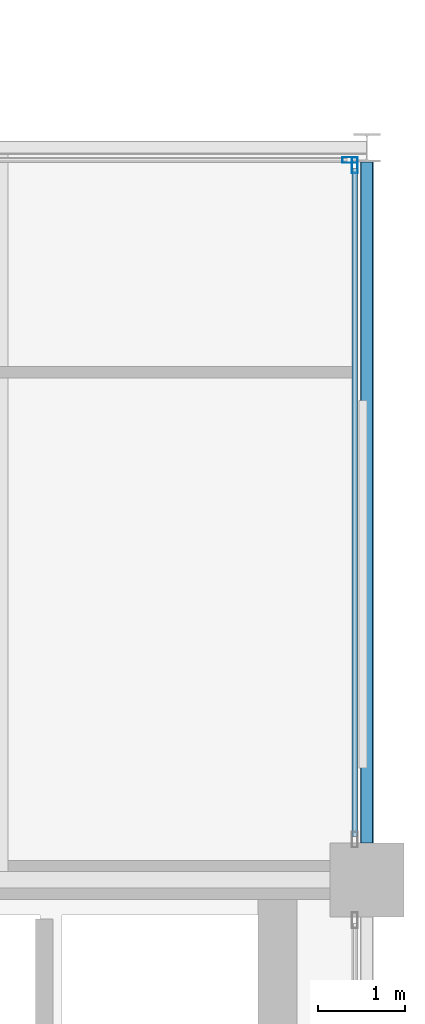
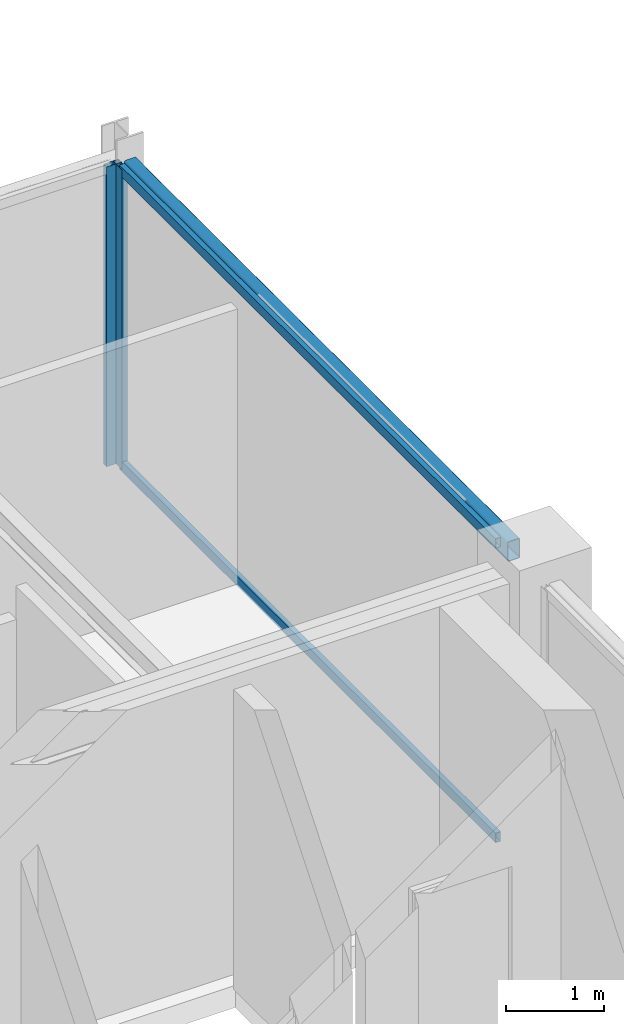
# One storey, part 15 of 24: 4 members, 1 beam, 2 elements without a shape of their own.
"""IFC4 building model written with IfcOpenShell, lengths in metres."""

from ifc_helpers import new_model, si_unit, direction, frame, origin, origin_2d, place, context, subcontext, project, spatial, hollow_rectangle, extrude, material, layer, layer_set, material_profile, profile_set, type_object, element, aggregate, save


model = new_model("IFC4")

# Units and contexts
model_context = context("Model", 3, precision=1e-05, world=origin(), true_north=direction((0.0, 1.0)))
body_context = subcontext(model_context, "Body", "Model", "MODEL_VIEW")
ifc_project = project(units=[si_unit("LENGTHUNIT", "METRE"), si_unit("AREAUNIT", "SQUARE_METRE"), si_unit("VOLUMEUNIT", "CUBIC_METRE"), si_unit("PLANEANGLEUNIT", "RADIAN"), si_unit("MASSUNIT", "GRAM", prefix="KILO")], contexts=[model_context])

# Site, building, storey
site_placement = place(None, origin())
site = spatial("IfcSite", under=ifc_project, at=site_placement, CompositionType="ELEMENT")
building_placement = place(site_placement, origin())
building = spatial("IfcBuilding", under=site, at=building_placement, Name="Nerrivon Quay Data Exchange", CompositionType="ELEMENT")
storey_placement = place(building_placement, frame((0.0, 0.0, 294.199951171875)))
storey = spatial("IfcBuildingStorey", under=building, at=storey_placement, Name="L70", CompositionType="ELEMENT", Elevation=294.199951171875)

# Beam
ifc_material_1 = material(Name="Steel Grade C350L0 (350 MPa)", Category="steel")
ifc_material_profile_1 = material_profile(ifc_material_1, hollow_rectangle(XDim=0.14990234375, YDim=0.25, WallThickness=0.009033203125, InnerFilletRadius=0.013427734375, OuterFilletRadius=0.0224609375, at=origin_2d()), Name="250x150x9.0RHS")
ifc_profile_set_1 = profile_set([ifc_material_profile_1], Name="Steel Grade C350L0 (350 MPa)")
beam_type = type_object("IfcBeamType", Name="BM-SP4-250x150RHS", PredefinedType="SPANDREL", material=ifc_profile_set_1)
beam_placement = place(storey_placement, frame((33.60009765625, 17.22509765625, 3.60009765625), z_axis=(0.0, 1.0, 0.0), x_axis=(-1.0, 0.0, 0.0)))
element("IfcBeam", 1, at=beam_placement, inside=storey, type_object=beam_type, Name="L70 NS Girder X=33.6 (16.8..25.2)", PredefinedType="SPANDREL", context=body_context, shape_type="SweptSolid", body=[
    extrude(hollow_rectangle(XDim=0.14990234375, YDim=0.25, WallThickness=0.009033203125, InnerFilletRadius=0.013427734375, OuterFilletRadius=0.0224609375, at=origin_2d()), origin(), (0.0, 0.0, 1.0), 7.8115234375),
])

# Curtain wall, member
ifc_material_2 = material(Name="Anodised aluminium 6063-T6", Category="aluminium")
ifc_layer = layer(ifc_material_2, 0.195068359375)
ifc_layer_set = layer_set([ifc_layer], Name="Anodised aluminium 6063-T6")
curtain_wall_type = type_object("IfcCurtainWallType", Name="CW-SYS-06", PredefinedType="NOTDEFINED", material=ifc_layer_set)
curtain_wall_1_placement = place(storey_placement, origin())
curtain_wall_1 = element("IfcCurtainWall", 2, at=curtain_wall_1_placement, inside=storey, type_object=curtain_wall_type, Name="L70 Unitised Curtain Wall 21", PredefinedType="NOTDEFINED")
ifc_material_profile_2 = material_profile(ifc_material_2, hollow_rectangle(XDim=0.06494140625, YDim=0.179931640625, WallThickness=0.00341796875, at=origin_2d()), Name="ALU-MULL-180x65")
ifc_profile_set_2 = profile_set([ifc_material_profile_2], Name="Anodised aluminium 6063-T6")
member_type_1 = type_object("IfcMemberType", Name="CWM-180x65", PredefinedType="MULLION", material=ifc_profile_set_2)
member_1_placement = place(storey_placement, frame((33.406982421875, 25.06005859375, 0.0), z_axis=(0.0, 0.0, 1.0), x_axis=(0.0, 1.0, 0.0)))
member_1 = element("IfcMember", 3, at=member_1_placement, type_object=member_type_1, Name="CW06 mullion 2", PredefinedType="MULLION", context=body_context, shape_type="SweptSolid", body=[
    extrude(hollow_rectangle(XDim=0.06494140625, YDim=0.179931640625, WallThickness=0.00341796875, at=origin_2d()), origin(), (0.0, 0.0, 1.0), 3.72509765625),
])
aggregate(curtain_wall_1, [member_1])

# Curtain wall, members
curtain_wall_2_placement = place(storey_placement, origin())
curtain_wall_2 = element("IfcCurtainWall", 4, at=curtain_wall_2_placement, inside=storey, type_object=curtain_wall_type, Name="L70 Unitised Curtain Wall 22", PredefinedType="NOTDEFINED")
member_2_placement = place(storey_placement, frame((33.4599609375, 24.9990234375, 0.0), z_axis=(0.0, 0.0, 1.0), x_axis=(1.0, 0.0, 0.0)))
member_2 = element("IfcMember", 5, at=member_2_placement, type_object=member_type_1, Name="CW06 mullion 1", PredefinedType="MULLION", context=body_context, shape_type="SweptSolid", body=[
    extrude(hollow_rectangle(XDim=0.06494140625, YDim=0.179931640625, WallThickness=0.00341796875, at=origin_2d()), origin(), (0.0, 0.0, 1.0), 3.72509765625),
])
ifc_material_profile_3 = material_profile(ifc_material_2, hollow_rectangle(XDim=0.06005859375, YDim=0.1201171875, WallThickness=0.003173828125, at=origin_2d()), Name="ALU-TRAN-120x60")
ifc_profile_set_3 = profile_set([ifc_material_profile_3], Name="Anodised aluminium 6063-T6")
member_type_2 = type_object("IfcMemberType", Name="CWT-120x60", PredefinedType="USERDEFINED", material=ifc_profile_set_3)
member_3_placement = place(storey_placement, frame((33.4599609375, 24.96142578125, 0.032470703125), z_axis=(0.0, -1.0, 0.0), x_axis=(1.0, 0.0, 0.0)))
member_3 = element("IfcMember", 6, at=member_3_placement, type_object=member_type_2, Name="CW06 transom 1.1", ObjectType="TRANSOM", PredefinedType="USERDEFINED", context=body_context, shape_type="SweptSolid", body=[
    extrude(hollow_rectangle(XDim=0.06005859375, YDim=0.1201171875, WallThickness=0.003173828125, at=origin_2d()), origin(), (0.0, 0.0, 1.0), 7.661376953125),
])
member_4_placement = place(storey_placement, frame((33.4599609375, 24.96142578125, 3.692626953125), z_axis=(0.0, -1.0, 0.0), x_axis=(1.0, 0.0, 0.0)))
member_4 = element("IfcMember", 7, at=member_4_placement, type_object=member_type_2, Name="CW06 transom 1.2", ObjectType="TRANSOM", PredefinedType="USERDEFINED", context=body_context, shape_type="SweptSolid", body=[
    extrude(hollow_rectangle(XDim=0.06005859375, YDim=0.1201171875, WallThickness=0.003173828125, at=origin_2d()), origin(), (0.0, 0.0, 1.0), 7.661376953125),
])
aggregate(curtain_wall_2, [member_2, member_3, member_4])

save(model, "model.ifc")
